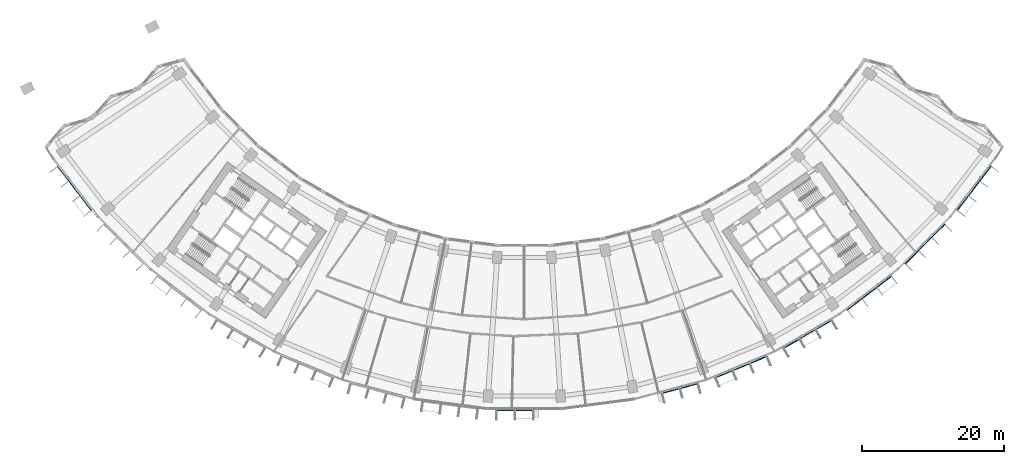
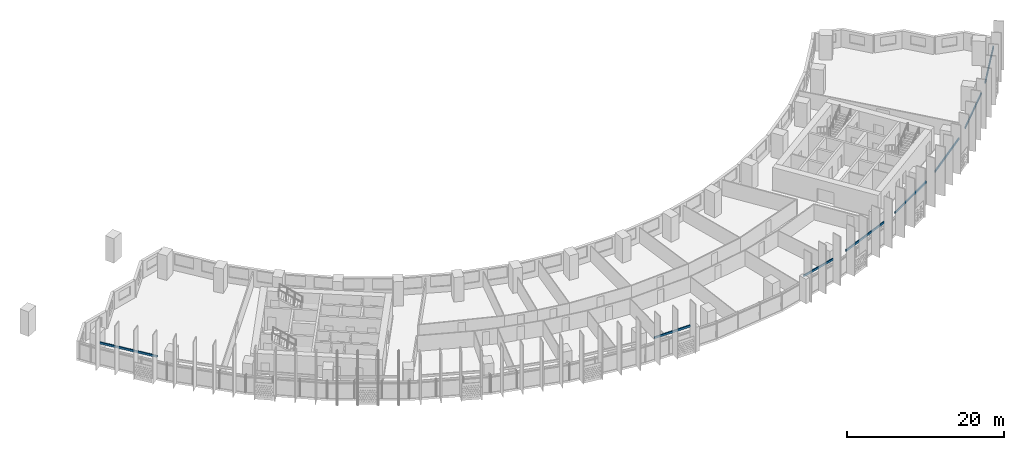
# One storey, part 9 of 31: 8 discrete accessories.
"""IFC4 building model written with IfcOpenShell, lengths in metres."""

from ifc_helpers import new_model, si_unit, direction, frame, origin, origin_2d, place, context, subcontext, project, spatial, rectangle, extrude, material, type_object, element, save


model = new_model("IFC4")

# Units and contexts
model_context = context("Model", 3, precision=1e-05, world=origin(), true_north=direction((0.0, 1.0)))
body_context = subcontext(model_context, "Body", "Model", "MODEL_VIEW")
ifc_project = project(units=[si_unit("LENGTHUNIT", "METRE"), si_unit("AREAUNIT", "SQUARE_METRE"), si_unit("VOLUMEUNIT", "CUBIC_METRE"), si_unit("PLANEANGLEUNIT", "RADIAN"), si_unit("MASSUNIT", "GRAM", prefix="KILO")], contexts=[model_context])

# Site, building, storey
site_placement = place(None, origin())
site = spatial("IfcSite", under=ifc_project, at=site_placement, CompositionType="ELEMENT")
building_placement = place(site_placement, origin())
building = spatial("IfcBuilding", under=site, at=building_placement, Name="Qamariyya Broadcast Tower", CompositionType="ELEMENT")
storey_placement = place(building_placement, frame((0.0, 0.0, 48.10009765625)))
storey = spatial("IfcBuildingStorey", under=building, at=storey_placement, Name="L08", CompositionType="ELEMENT", Elevation=48.10009765625)

# Discrete accessories
ifc_material = material(Name="Stainless steel 316", Category="steel")
discrete_accessory_type = type_object("IfcDiscreteAccessoryType", Name="Slab edge fixing angle, stainless steel", PredefinedType="BRACKET", material=ifc_material)
discrete_accessory_placement = place(storey_placement, frame((-63.11474609375, -48.4296875, 3.2998046875), z_axis=(0.0, 0.0, 1.0), x_axis=(0.608761429009, -0.793353340291, 0.0)))
element("IfcDiscreteAccessory", 1, at=discrete_accessory_placement, inside=storey, type_object=discrete_accessory_type, Name="e-br-L08-01-0", PredefinedType="BRACKET", context=body_context, shape_type="SweptSolid", body=[
    extrude(rectangle(XDim=7.9140625, YDim=0.14990234375, at=origin_2d()), origin(), (0.0, 0.0, 1.0), 0.300048828125),
])
for number, where, z_axis, x_axis, name in (
    (2, (-1.30224609375, -79.554443359375, 3.2998046875), (0.0, 0.0, 1.0), (1.0, 0.0, 0.0), "e-br-L08-08-0"),
    (3, (21.84814453125, -76.506591796875, 3.2998046875), (0.0, 0.0, 1.0), (0.965925826289, 0.258819045103, 0.0), "e-br-L08-10-0"),
):
    element("IfcDiscreteAccessory", number, at=place(storey_placement, frame(where, z_axis=z_axis, x_axis=x_axis)), inside=storey, type_object=discrete_accessory_type, Name=name, PredefinedType="BRACKET", context=body_context, shape_type="SweptSolid", body=[
        extrude(rectangle(XDim=5.309326171875, YDim=0.14990234375, at=origin_2d()), origin(), (0.0, 0.0, 1.0), 0.300048828125),
    ])
for number, where, z_axis, x_axis, name in (
    (4, (30.444091796875, -73.498779296875, 3.2998046875), (0.0, 0.0, 1.0), (0.923879532511, 0.382683432365, 0.0), "e-br-L08-11-0"),
    (5, (39.77734375, -68.896240234375, 3.2998046875), (0.0, 0.0, 1.0), (0.866025403784, 0.5, 0.0), "e-br-L08-12-0"),
    (6, (48.4296875, -63.11474609375, 3.2998046875), (0.0, 0.0, 1.0), (0.793353340291, 0.608761429009, 0.0), "e-br-L08-13-0"),
    (7, (56.25341796875, -56.25341796875, 3.2998046875), (0.0, 0.0, 1.0), (0.707106781187, 0.707106781187, 0.0), "e-br-L08-14-0"),
    (8, (63.11474609375, -48.4296875, 3.2998046875), (0.0, 0.0, 1.0), (0.608761429009, 0.793353340291, 0.0), "e-br-L08-15-0"),
):
    element("IfcDiscreteAccessory", number, at=place(storey_placement, frame(where, z_axis=z_axis, x_axis=x_axis)), inside=storey, type_object=discrete_accessory_type, Name=name, PredefinedType="BRACKET", context=body_context, shape_type="SweptSolid", body=[
        extrude(rectangle(XDim=7.9140625, YDim=0.14990234375, at=origin_2d()), origin(), (0.0, 0.0, 1.0), 0.300048828125),
    ])

save(model, "model.ifc")
